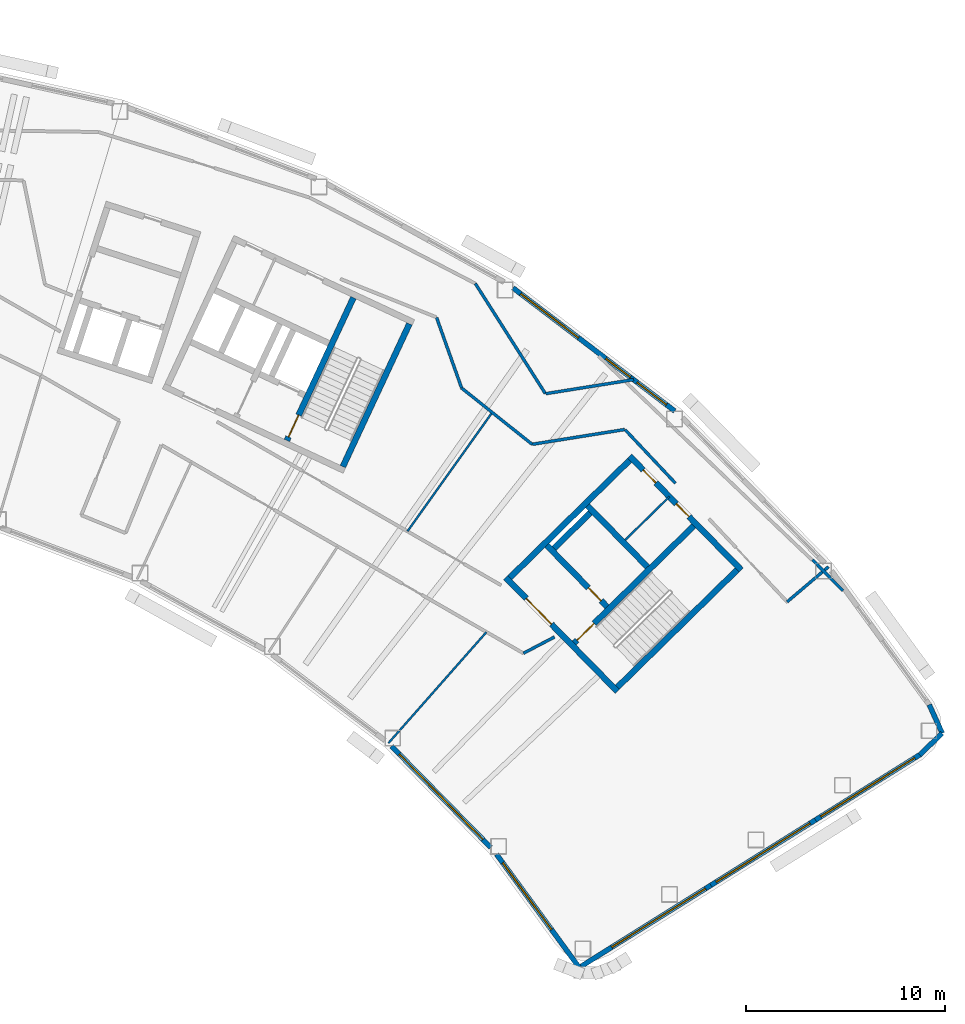
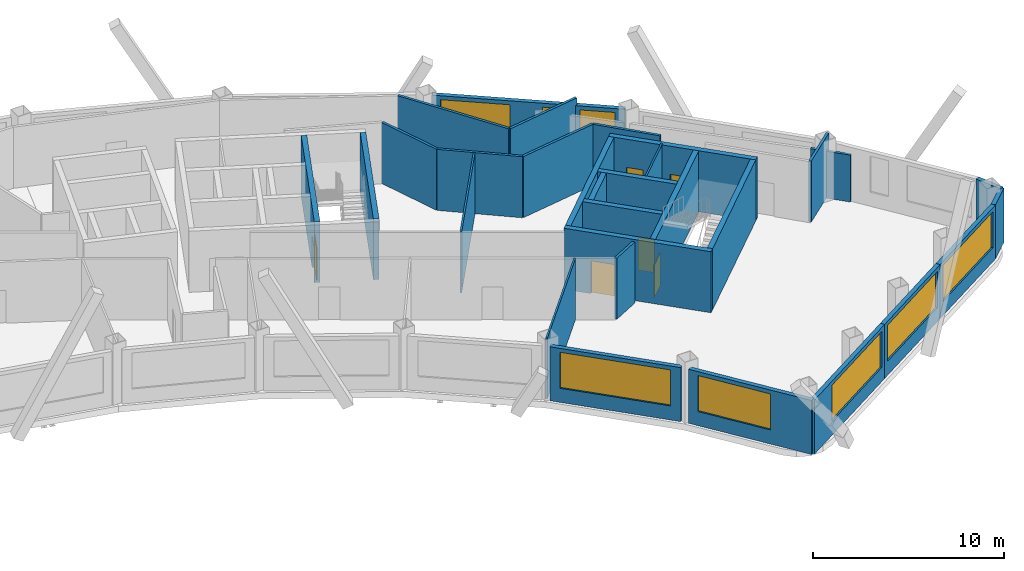
# One storey, part 9 of 13: 30 walls, 8 windows, 6 doors, 14 openings.
"""IFC4 building model written with IfcOpenShell, lengths in metres."""

import ifcopenshell
import ifcopenshell.guid

model = None  # the IFC model being written
_history = None  # IfcOwnerHistory: only IFC2X3 demands one
_inside = {}  # id of a spatial element -> (the spatial element, [elements in it])
_under = {}  # id of a project, library or spatial element -> (it, [spatial elements below it])
_declared = {}  # id of a project -> (the project, [libraries it declares])
_typed = {}  # id of a type object -> (the type object, [elements of that type])
_made_of = {}  # id of a material, layer set ... -> (it, [elements and type objects made of it])


def new_model(schema):
    """Start an empty IFC model of exactly this schema.

    Asked for "IFC4X3", IfcOpenShell would pick the latest addendum, in which some entities
    have other attributes; the version numbers below select the first issue.
    IFC2X3 requires an IfcOwnerHistory on every rooted entity: one is made here for all.
    """
    global model, _history
    if schema == "IFC4X3":
        model = ifcopenshell.file(schema_version=(4, 3, 0, 0))
    else:
        model = ifcopenshell.file(schema=schema)
    _inside.clear()
    _under.clear()
    _declared.clear()
    _typed.clear()
    _made_of.clear()
    _history = None
    if model.schema == "IFC2X3":
        org = make("IfcOrganization", Name="unknown")
        user = make(
            "IfcPersonAndOrganization",
            ThePerson=make("IfcPerson", FamilyName="unknown"),
            TheOrganization=org,
        )
        app = make(
            "IfcApplication",
            ApplicationDeveloper=org,
            Version="unknown",
            ApplicationFullName="unknown",
            ApplicationIdentifier="unknown",
        )
        _history = make(
            "IfcOwnerHistory",
            OwningUser=user,
            OwningApplication=app,
            ChangeAction="ADDED",
            CreationDate=0,
        )
    return model


def make(cls, **values):
    """One entity of the class cls with the attributes given. An attribute that is None is left unset."""
    return model.create_entity(
        cls, **{name: value for name, value in values.items() if value is not None}
    )


def rooted(cls, **values):
    """An entity with a GlobalId (a new one), such as an element, a storey or a relation."""
    return make(cls, GlobalId=ifcopenshell.guid.new(), OwnerHistory=_history, **values)


def si_unit(unit_type, name, prefix=None):
    """IfcSIUnit, for example si_unit("LENGTHUNIT", "METRE", prefix="MILLI")."""
    return make("IfcSIUnit", UnitType=unit_type, Prefix=prefix, Name=name)


def assignment(units):
    """IfcUnitAssignment: the units of a project."""
    return None if units is None else make("IfcUnitAssignment", Units=units)


def point(xyz):
    """IfcCartesianPoint."""
    return None if xyz is None else make("IfcCartesianPoint", Coordinates=xyz)


def direction(xyz):
    """IfcDirection."""
    return None if xyz is None else make("IfcDirection", DirectionRatios=xyz)


def frame(location, z_axis=None, x_axis=None):
    """IfcAxis2Placement3D, a coordinate frame: its origin and axes. An axis left out is left unset."""
    return make(
        "IfcAxis2Placement3D",
        Location=point(location),
        Axis=direction(z_axis),
        RefDirection=direction(x_axis),
    )


def frame_2d(location, x_axis=None):
    """IfcAxis2Placement2D, a coordinate frame in the plane: its origin and x axis."""
    return make(
        "IfcAxis2Placement2D", Location=point(location), RefDirection=direction(x_axis)
    )


def origin():
    """The frame at (0, 0, 0) with its axes left unset."""
    return frame((0.0, 0.0, 0.0))


def place(relative_to, where):
    """IfcLocalPlacement: puts the frame where relative to a parent placement (None: the world)."""
    return make(
        "IfcLocalPlacement", PlacementRelTo=relative_to, RelativePlacement=where
    )


def context(
    kind, dimensions, precision=None, world=None, true_north=None, identifier=None
):
    """IfcGeometricRepresentationContext, for example the 3D "Model" context."""
    return make(
        "IfcGeometricRepresentationContext",
        ContextIdentifier=identifier,
        ContextType=kind,
        CoordinateSpaceDimension=dimensions,
        Precision=precision,
        WorldCoordinateSystem=world,
        TrueNorth=true_north,
    )


def subcontext(parent, identifier, kind, view, scale=None):
    """IfcGeometricRepresentationSubContext, for example "Body" below "Model"."""
    return make(
        "IfcGeometricRepresentationSubContext",
        ContextIdentifier=identifier,
        ContextType=kind,
        ParentContext=parent,
        TargetScale=scale,
        TargetView=view,
    )


def project(units=None, contexts=None):
    """IfcProject with its units and contexts."""
    return rooted(
        "IfcProject",
        Name="project",
        RepresentationContexts=contexts,
        UnitsInContext=assignment(units),
    )


def spatial(cls, under=None, at=None, **own):
    """A site, building, storey or space (cls), placed at a placement, below another one or the project."""
    s = rooted(cls, ObjectPlacement=at, **own)
    if under is not None:
        _under.setdefault(under.id(), (under, []))[1].append(s)
    return s


def profile(cls, at=None, kind="AREA", **sizes):
    """A parametric profile (cls). Its sizes go by their IFC names, for example OverallWidth=200.0."""
    return make(cls, ProfileType=kind, Position=at, **sizes)


def rectangle(**sizes):
    """IfcRectangleProfileDef."""
    return profile("IfcRectangleProfileDef", **sizes)


def extrude(swept, where, along, depth):
    """IfcExtrudedAreaSolid: the profile swept, set in the frame where, extruded along a direction by depth."""
    return make(
        "IfcExtrudedAreaSolid",
        SweptArea=swept,
        Position=where,
        ExtrudedDirection=direction(along),
        Depth=depth,
    )


def shape(context_of_items, identifier, shape_type, items):
    """IfcShapeRepresentation: the items that make up one representation, for example the "Body"."""
    return make(
        "IfcShapeRepresentation",
        ContextOfItems=context_of_items,
        RepresentationIdentifier=identifier,
        RepresentationType=shape_type,
        Items=items,
    )


def material(Name=None, Category=None):
    """IfcMaterial."""
    return make("IfcMaterial", Name=Name, Category=Category)


def layer(
    of_material, thickness, ventilated=None, Name=None, Category=None, Priority=None
):
    """IfcMaterialLayer: one layer of a wall or slab, of a material (None: an air gap)."""
    return make(
        "IfcMaterialLayer",
        Material=of_material,
        LayerThickness=thickness,
        IsVentilated=ventilated,
        Name=Name,
        Category=Category,
        Priority=Priority,
    )


def layer_set(layers, Name=None):
    """IfcMaterialLayerSet."""
    return make("IfcMaterialLayerSet", MaterialLayers=layers, LayerSetName=Name)


def made_of(thing, what):
    """Note that an element or type object is made of a material, layer set ...; save() writes the relation."""
    if what is not None:
        _made_of.setdefault(what.id(), (what, []))[1].append(thing)
    return thing


def type_object(cls, material=None, **own):
    """A type object (cls), such as IfcWallType, which elements share."""
    return made_of(rooted(cls, **own), material)


def element(
    cls,
    number,
    at=None,
    inside=None,
    cuts=None,
    type_object=None,
    material=None,
    context=None,
    identifier="Body",
    shape_type=None,
    held_by="IfcProductDefinitionShape",
    body=None,
    shapes=None,
    **own,
):
    """One element of the class cls, such as IfcWall. Its Tag is "e" and its number.

    at: its placement. inside: the storey or other place that contains it. cuts: it is an
    opening in that element (IfcRelVoidsElement). A single representation is given by context,
    identifier, shape_type and body (its items); several are given by shapes. held_by: the class
    of the entity that holds the representations. save() writes the other relations.
    """
    e = rooted(cls, Tag="e%d" % number, ObjectPlacement=at, **own)
    if body is not None:
        shapes = [shape(context, identifier, shape_type, body)]
    if shapes is not None:
        e.Representation = make(held_by, Representations=shapes)
    if inside is not None:
        _inside.setdefault(inside.id(), (inside, []))[1].append(e)
    if cuts is not None:
        rooted(
            "IfcRelVoidsElement", RelatingBuildingElement=cuts, RelatedOpeningElement=e
        )
    if type_object is not None:
        _typed.setdefault(type_object.id(), (type_object, []))[1].append(e)
    return made_of(e, material)


def fill(opening, filler):
    """IfcRelFillsElement: the door or window that sits in an opening."""
    return rooted(
        "IfcRelFillsElement",
        RelatingOpeningElement=opening,
        RelatedBuildingElement=filler,
    )


def aggregate(whole, parts):
    """IfcRelAggregates: a whole, such as a stair, and the parts it consists of."""
    return rooted("IfcRelAggregates", RelatingObject=whole, RelatedObjects=parts)


def save(model, path):
    """Write the relations noted so far, then the file.

    IfcRelAggregates (storeys below a building ...), IfcRelContainedInSpatialStructure (elements
    in a storey), IfcRelDefinesByType, IfcRelAssociatesMaterial and IfcRelDeclares: one each for
    every whole, place, type object, material and project.
    """
    for whole, parts in _under.values():
        aggregate(whole, parts)
    for where, things in _inside.values():
        rooted(
            "IfcRelContainedInSpatialStructure",
            RelatedElements=things,
            RelatingStructure=where,
        )
    for kind, things in _typed.values():
        rooted("IfcRelDefinesByType", RelatedObjects=things, RelatingType=kind)
    for what, things in _made_of.values():
        rooted("IfcRelAssociatesMaterial", RelatedObjects=things, RelatingMaterial=what)
    for by, libraries in _declared.values():
        rooted("IfcRelDeclares", RelatingContext=by, RelatedDefinitions=libraries)
    model.write(path)


model = new_model("IFC4")

# Units and contexts
model_context = context("Model", 3, precision=1e-05, world=origin(), true_north=direction((0.0, 1.0)))
body_context = subcontext(model_context, "Body", "Model", "MODEL_VIEW")
ifc_project = project(units=[si_unit("LENGTHUNIT", "METRE"), si_unit("AREAUNIT", "SQUARE_METRE"), si_unit("VOLUMEUNIT", "CUBIC_METRE"), si_unit("PLANEANGLEUNIT", "RADIAN"), si_unit("MASSUNIT", "GRAM", prefix="KILO")], contexts=[model_context])

# Site, building, storey
site_placement = place(None, origin())
site = spatial("IfcSite", under=ifc_project, at=site_placement, CompositionType="ELEMENT")
building_placement = place(site_placement, origin())
building = spatial("IfcBuilding", under=site, at=building_placement, Name="Tuul Gate Civic Tower", CompositionType="ELEMENT")
storey_placement = place(building_placement, frame((0.0, 0.0, 319.699951171875)))
storey = spatial("IfcBuildingStorey", under=building, at=storey_placement, Name="Level 72", CompositionType="ELEMENT", Elevation=319.699951171875)

# Wall, opening, door
ifc_material_1 = material(Name="Concrete C50/60", Category="concrete")
ifc_layer_1 = layer(ifc_material_1, 0.300048828125)
ifc_layer_set_1 = layer_set([ifc_layer_1], Name="Concrete C50/60")
wall_type_1 = type_object("IfcWallType", Name="Core wall C50/60", PredefinedType="SHEAR", material=ifc_layer_set_1)
wall_1_placement = place(storey_placement, frame((48.22509765625, -18.327880859375, 0.0), z_axis=(0.0, 0.0, 1.0), x_axis=(-0.700021979774, 0.714121297703, 0.0)))
wall_1 = element("IfcWall", 1, at=wall_1_placement, inside=storey, type_object=wall_type_1, Name="Core wall", PredefinedType="SHEAR", context=body_context, shape_type="SweptSolid", body=[
    extrude(rectangle(XDim=8.0, YDim=0.300048828125, at=frame_2d((4.0, 0.0))), origin(), (0.0, 0.0, 1.0), 3.900146484375),
])
opening_1_placement = place(wall_1_placement, frame((4.72509765625, 0.0, 0.0)))
opening_1 = element("IfcOpeningElement", 2, at=opening_1_placement, cuts=wall_1, Name="Opening LB-E1-LOBBY-1", PredefinedType="OPENING", context=body_context, shape_type="SweptSolid", body=[
    extrude(rectangle(XDim=1.800048828125, YDim=2.10009765625, at=frame_2d((0.89990234375, 1.050048828125))), frame((0.0, 0.16015625, 0.0), z_axis=(0.0, -1.0, 0.0), x_axis=(1.0, 0.0, 0.0)), (0.0, 0.0, 1.0), 0.320068359375),
])
ifc_material_2 = material(Name="Steel", Category="steel")
door_type_1 = type_object("IfcDoorType", Name="Lobby door", OperationType="DOUBLE_DOOR_SINGLE_SWING", PredefinedType="DOOR", material=ifc_material_2)
door_1_placement = place(opening_1_placement, frame((1.800048828125, 0.0, 0.0), z_axis=(0.0, 0.0, 1.0), x_axis=(-1.0, 0.0, 0.0)))
door_1 = element("IfcDoor", 3, at=door_1_placement, inside=storey, type_object=door_type_1, Name="Lobby door E1-LOBBY", OperationType="DOUBLE_DOOR_SINGLE_SWING", OverallHeight=2.10009765625, OverallWidth=1.800048828125, PredefinedType="DOOR", context=body_context, shape_type="SweptSolid", body=[
    extrude(rectangle(XDim=1.800048828125, YDim=2.10009765625, at=frame_2d((0.900146484375, 1.050048828125))), frame((0.0, 0.02490234375, 0.0), z_axis=(0.0, -1.0, 0.0), x_axis=(1.0, 0.0, 0.0)), (0.0, 0.0, 1.0), 0.050048828125),
])
fill(opening_1, door_1)

wall_2_placement = place(storey_placement, frame((47.701904296875, -14.079833984375, 0.0), z_axis=(0.0, 0.0, 1.0), x_axis=(-0.700002721075, 0.714140175657, 0.0)))
wall_2 = element("IfcWall", 4, at=wall_2_placement, inside=storey, type_object=wall_type_1, Name="Core wall", PredefinedType="SHEAR", context=body_context, shape_type="SweptSolid", body=[
    extrude(rectangle(XDim=4.300048828125, YDim=0.300048828125, at=frame_2d((2.14990234375, 0.0))), origin(), (0.0, 0.0, 1.0), 3.900146484375),
])
opening_2_placement = place(wall_2_placement, frame((0.425048828125, 0.0, 0.0)))
opening_2 = element("IfcOpeningElement", 5, at=opening_2_placement, cuts=wall_2, Name="Opening FB-E1A1", PredefinedType="OPENING", context=body_context, shape_type="SweptSolid", body=[
    extrude(rectangle(XDim=0.89990234375, YDim=2.10009765625, at=frame_2d((0.449951171875, 1.050048828125))), frame((0.0, 0.16015625, 0.0), z_axis=(0.0, -1.0, 0.0), x_axis=(1.0, 0.0, 0.0)), (0.0, 0.0, 1.0), 0.320068359375),
])
ifc_material_3 = material(Name="Steel", Category="steel")
door_type_2 = type_object("IfcDoorType", Name="Store door", OperationType="NOTDEFINED", PredefinedType="DOOR", material=ifc_material_3)
door_2_placement = place(opening_2_placement, frame((0.89990234375, 0.0, 0.0), z_axis=(0.0, 0.0, 1.0), x_axis=(-1.0, 0.0, 0.0)))
door_2 = element("IfcDoor", 6, at=door_2_placement, inside=storey, type_object=door_type_2, Name="Store door E1A1", OperationType="SINGLE_SWING_RIGHT", OverallHeight=2.10009765625, OverallWidth=0.89990234375, PredefinedType="DOOR", context=body_context, shape_type="SweptSolid", body=[
    extrude(rectangle(XDim=0.89990234375, YDim=2.10009765625, at=frame_2d((0.449951171875, 1.050048828125))), frame((0.0, 0.02490234375, 0.0), z_axis=(0.0, -1.0, 0.0), x_axis=(1.0, 0.0, 0.0)), (0.0, 0.0, 1.0), 0.050048828125),
])
fill(opening_2, door_2)

# Wall
wall_3_placement = place(storey_placement, frame((49.737060546875, -12.0849609375, 0.0), z_axis=(0.0, 0.0, 1.0), x_axis=(-0.700002721075, 0.714140175657, 0.0)))
element("IfcWall", 7, at=wall_3_placement, inside=storey, type_object=wall_type_1, Name="Core wall", PredefinedType="SHEAR", context=body_context, shape_type="SweptSolid", body=[
    extrude(rectangle(XDim=4.300048828125, YDim=0.300048828125, at=frame_2d((2.14990234375, 0.0))), origin(), (0.0, 0.0, 1.0), 3.900146484375),
])

# Wall, openings, doors
wall_4_placement = place(storey_placement, frame((54.43798828125, -12.23779296875, 0.0), z_axis=(0.0, 0.0, 1.0), x_axis=(-0.700021979774, 0.714121297703, 0.0)))
wall_4 = element("IfcWall", 8, at=wall_4_placement, inside=storey, type_object=wall_type_1, Name="Core wall", PredefinedType="SHEAR", context=body_context, shape_type="SweptSolid", body=[
    extrude(rectangle(XDim=8.0, YDim=0.300048828125, at=frame_2d((4.0, 0.0))), origin(), (0.0, 0.0, 1.0), 3.900146484375),
])
opening_3_placement = place(wall_4_placement, frame((3.75, 0.0, 0.0)))
opening_3 = element("IfcOpeningElement", 9, at=opening_3_placement, cuts=wall_4, Name="Opening AA-D30", PredefinedType="OPENING", context=body_context, shape_type="SweptSolid", body=[
    extrude(rectangle(XDim=0.89990234375, YDim=2.10009765625, at=frame_2d((0.449951171875, 1.050048828125))), frame((0.0, 0.16015625, 0.0), z_axis=(0.0, -1.0, 0.0), x_axis=(1.0, 0.0, 0.0)), (0.0, 0.0, 1.0), 0.320068359375),
])
opening_4_placement = place(wall_4_placement, frame((6.125, 0.0, 0.0)))
opening_4 = element("IfcOpeningElement", 10, at=opening_4_placement, cuts=wall_4, Name="Opening AA-D31", PredefinedType="OPENING", context=body_context, shape_type="SweptSolid", body=[
    extrude(rectangle(XDim=0.89990234375, YDim=2.10009765625, at=frame_2d((0.449951171875, 1.050048828125))), frame((0.0, 0.16015625, 0.0), z_axis=(0.0, -1.0, 0.0), x_axis=(1.0, 0.0, 0.0)), (0.0, 0.0, 1.0), 0.320068359375),
])
ifc_material_4 = material(Name="Timber door leaf", Category="wood")
door_type_3 = type_object("IfcDoorType", Name="Door D09", OperationType="NOTDEFINED", PredefinedType="DOOR", material=ifc_material_4)
door_3_placement = place(opening_3_placement, origin())
door_3 = element("IfcDoor", 11, at=door_3_placement, inside=storey, type_object=door_type_3, Name="Door AA-D30", OperationType="SINGLE_SWING_LEFT", OverallHeight=2.10009765625, OverallWidth=0.89990234375, PredefinedType="DOOR", context=body_context, shape_type="SweptSolid", body=[
    extrude(rectangle(XDim=0.89990234375, YDim=2.10009765625, at=frame_2d((0.449951171875, 1.050048828125))), frame((0.0, 0.02490234375, 0.0), z_axis=(0.0, -1.0, 0.0), x_axis=(1.0, 0.0, 0.0)), (0.0, 0.0, 1.0), 0.050048828125),
])
fill(opening_3, door_3)
door_4_placement = place(opening_4_placement, origin())
door_4 = element("IfcDoor", 12, at=door_4_placement, inside=storey, type_object=door_type_3, Name="Door AA-D31", OperationType="SINGLE_SWING_LEFT", OverallHeight=2.10009765625, OverallWidth=0.89990234375, PredefinedType="DOOR", context=body_context, shape_type="SweptSolid", body=[
    extrude(rectangle(XDim=0.89990234375, YDim=2.10009765625, at=frame_2d((0.449951171875, 1.050048828125))), frame((0.0, 0.02490234375, 0.0), z_axis=(0.0, -1.0, 0.0), x_axis=(1.0, 0.0, 0.0)), (0.0, 0.0, 1.0), 0.050048828125),
])
fill(opening_4, door_4)

# Wall
wall_5_placement = place(storey_placement, frame((48.227294921875, -18.115966796875, 0.0), z_axis=(0.0, 0.0, 1.0), x_axis=(0.714105315431, 0.700038283577, 0.0)))
element("IfcWall", 13, at=wall_5_placement, inside=storey, type_object=wall_type_1, Name="Core wall", PredefinedType="SHEAR", context=body_context, shape_type="SweptSolid", body=[
    extrude(rectangle(XDim=8.400146484375, YDim=0.300048828125, at=frame_2d((4.2001953125, 0.0))), origin(), (0.0, 0.0, 1.0), 3.900146484375),
])

# Wall, opening, door
wall_6_placement = place(storey_placement, frame((46.05712890625, -15.902099609375, 0.0), z_axis=(0.0, 0.0, 1.0), x_axis=(0.714134086973, 0.700008932674, 0.0)))
wall_6 = element("IfcWall", 14, at=wall_6_placement, inside=storey, type_object=wall_type_1, Name="Core wall", PredefinedType="SHEAR", context=body_context, shape_type="SweptSolid", body=[
    extrude(rectangle(XDim=8.400146484375, YDim=0.300048828125, at=frame_2d((4.2001953125, 0.0))), origin(), (0.0, 0.0, 1.0), 3.900146484375),
])
opening_5_placement = place(wall_6_placement, frame((0.199951171875, 0.0, 0.0)))
opening_5 = element("IfcOpeningElement", 15, at=opening_5_placement, cuts=wall_6, Name="Opening SD-ST-3", PredefinedType="OPENING", context=body_context, shape_type="SweptSolid", body=[
    extrude(rectangle(XDim=1.199951171875, YDim=2.10009765625, at=frame_2d((0.60009765625, 1.050048828125))), frame((0.0, 0.16015625, 0.0), z_axis=(0.0, -1.0, 0.0), x_axis=(1.0, 0.0, 0.0)), (0.0, 0.0, 1.0), 0.320068359375),
])
ifc_material_5 = material(Name="Steel", Category="steel")
door_type_4 = type_object("IfcDoorType", Name="Stair door", OperationType="NOTDEFINED", PredefinedType="DOOR", material=ifc_material_5)
door_5_placement = place(opening_5_placement, origin())
door_5 = element("IfcDoor", 16, at=door_5_placement, inside=storey, type_object=door_type_4, Name="Stair door ST-3", OperationType="SINGLE_SWING_LEFT", OverallHeight=2.10009765625, OverallWidth=1.199951171875, PredefinedType="DOOR", context=body_context, shape_type="SweptSolid", body=[
    extrude(rectangle(XDim=1.199951171875, YDim=2.10009765625, at=frame_2d((0.60009765625, 1.050048828125))), frame((0.0, 0.02490234375, 0.0), z_axis=(0.0, -1.0, 0.0), x_axis=(1.0, 0.0, 0.0)), (0.0, 0.0, 1.0), 0.050048828125),
])
fill(opening_5, door_5)

# Walls
wall_7_placement = place(storey_placement, frame((45.0439453125, -11.154052734375, 0.0), z_axis=(0.0, 0.0, 1.0), x_axis=(0.714108498262, 0.700035036773, 0.0)))
element("IfcWall", 17, at=wall_7_placement, inside=storey, type_object=wall_type_1, Name="Core wall", PredefinedType="SHEAR", context=body_context, shape_type="SweptSolid", body=[
    extrude(rectangle(XDim=2.550048828125, YDim=0.300048828125, at=frame_2d((1.27490234375, 0.0))), origin(), (0.0, 0.0, 1.0), 3.900146484375),
])
wall_8_placement = place(storey_placement, frame((42.837158203125, -12.616943359375, 0.0), z_axis=(0.0, 0.0, 1.0), x_axis=(0.714119844755, 0.700023461983, 0.0)))
element("IfcWall", 18, at=wall_8_placement, inside=storey, type_object=wall_type_1, Name="Core wall", PredefinedType="SHEAR", context=body_context, shape_type="SweptSolid", body=[
    extrude(rectangle(XDim=8.39990234375, YDim=0.300048828125, at=frame_2d((4.199951171875, 0.0))), origin(), (0.0, 0.0, 1.0), 3.900146484375),
])
wall_9_placement = place(storey_placement, frame((34.455810546875, -7.05078125, 0.0), z_axis=(0.0, 0.0, 1.0), x_axis=(0.422570768258, 0.906329932096, 0.0)))
element("IfcWall", 19, at=wall_9_placement, inside=storey, type_object=wall_type_1, Name="Core wall", PredefinedType="SHEAR", context=body_context, shape_type="SweptSolid", body=[
    extrude(rectangle(XDim=7.900146484375, YDim=0.300048828125, at=frame_2d((3.9501953125, 0.0))), origin(), (0.0, 0.0, 1.0), 3.900146484375),
])

# Wall, opening, door
wall_10_placement = place(storey_placement, frame((31.646240234375, -5.740478515625, 0.0), z_axis=(0.0, 0.0, 1.0), x_axis=(0.422582604137, 0.906324413596, 0.0)))
wall_10 = element("IfcWall", 20, at=wall_10_placement, inside=storey, type_object=wall_type_1, Name="Core wall", PredefinedType="SHEAR", context=body_context, shape_type="SweptSolid", body=[
    extrude(rectangle(XDim=7.89990234375, YDim=0.300048828125, at=frame_2d((3.949951171875, 0.0))), origin(), (0.0, 0.0, 1.0), 3.900146484375),
])
opening_6_placement = place(wall_10_placement, frame((0.199951171875, 0.0, 0.0)))
opening_6 = element("IfcOpeningElement", 21, at=opening_6_placement, cuts=wall_10, Name="Opening SD-ST-4", PredefinedType="OPENING", context=body_context, shape_type="SweptSolid", body=[
    extrude(rectangle(XDim=1.199951171875, YDim=2.10009765625, at=frame_2d((0.60009765625, 1.050048828125))), frame((0.0, 0.16015625, 0.0), z_axis=(0.0, -1.0, 0.0), x_axis=(1.0, 0.0, 0.0)), (0.0, 0.0, 1.0), 0.320068359375),
])
door_6_placement = place(opening_6_placement, origin())
door_6 = element("IfcDoor", 22, at=door_6_placement, inside=storey, type_object=door_type_4, Name="Stair door ST-4", OperationType="SINGLE_SWING_LEFT", OverallHeight=2.10009765625, OverallWidth=1.199951171875, PredefinedType="DOOR", context=body_context, shape_type="SweptSolid", body=[
    extrude(rectangle(XDim=1.199951171875, YDim=2.10009765625, at=frame_2d((0.60009765625, 1.050048828125))), frame((0.0, 0.02490234375, 0.0), z_axis=(0.0, -1.0, 0.0), x_axis=(1.0, 0.0, 0.0)), (0.0, 0.0, 1.0), 0.050048828125),
])
fill(opening_6, door_6)

# Walls
ifc_material_6 = material(Name="Gypsum board partition")
ifc_layer_2 = layer(ifc_material_6, 0.14990234375)
ifc_layer_set_2 = layer_set([ifc_layer_2], Name="Gypsum board partition")
wall_type_2 = type_object("IfcWallType", Name="Corridor wall P150", PredefinedType="PARTITIONING", material=ifc_layer_set_2)
wall_11_placement = place(storey_placement, frame((56.740966796875, -13.83349609375, 0.0), z_axis=(0.0, 0.0, 1.0), x_axis=(0.762773319924, 0.64666595891, 0.0)))
element("IfcWall", 23, at=wall_11_placement, inside=storey, type_object=wall_type_2, Name="p007", PredefinedType="PARTITIONING", context=body_context, shape_type="SweptSolid", body=[
    extrude(rectangle(XDim=2.720947265625, YDim=0.14990234375, at=frame_2d((1.3603515625, 0.0))), origin(), (0.0, 0.0, 1.0), 3.900146484375),
])
wall_12_placement = place(storey_placement, frame((44.63037109375, -3.39404296875, 0.0), z_axis=(0.0, 0.0, 1.0), x_axis=(0.987453930553, 0.157907362192, 0.0)))
element("IfcWall", 24, at=wall_12_placement, inside=storey, type_object=wall_type_2, Name="p010", PredefinedType="PARTITIONING", context=body_context, shape_type="SweptSolid", body=[
    extrude(rectangle(XDim=4.466796875, YDim=0.14990234375, at=frame_2d((2.2333984375, 0.0))), origin(), (0.0, 0.0, 1.0), 3.900146484375),
])
wall_13_placement = place(storey_placement, frame((41.098388671875, 2.130859375, 0.0), z_axis=(0.0, 0.0, 1.0), x_axis=(0.537015617455, -0.84357230076, 0.0)))
element("IfcWall", 25, at=wall_13_placement, inside=storey, type_object=wall_type_2, Name="p011", PredefinedType="PARTITIONING", context=body_context, shape_type="SweptSolid", body=[
    extrude(rectangle(XDim=6.538330078125, YDim=0.14990234375, at=frame_2d((3.26904296875, 0.0))), origin(), (0.0, 0.0, 1.0), 3.900146484375),
])
wall_14_placement = place(storey_placement, frame((43.51123046875, -16.415283203125, 0.0), z_axis=(0.0, 0.0, 1.0), x_axis=(0.885516348917, 0.464608217535, 0.0)))
element("IfcWall", 26, at=wall_14_placement, inside=storey, type_object=wall_type_2, Name="p060", PredefinedType="PARTITIONING", context=body_context, shape_type="SweptSolid", body=[
    extrude(rectangle(XDim=1.759765625, YDim=0.14990234375, at=frame_2d((0.8798828125, 0.0))), origin(), (0.0, 0.0, 1.0), 3.900146484375),
])
wall_15_placement = place(storey_placement, frame((48.60791015625, -5.19775390625, 0.0), z_axis=(0.0, 0.0, 1.0), x_axis=(0.685442892351, -0.728126391037, 0.0)))
element("IfcWall", 27, at=wall_15_placement, inside=storey, type_object=wall_type_2, Name="p061", PredefinedType="PARTITIONING", context=body_context, shape_type="SweptSolid", body=[
    extrude(rectangle(XDim=3.70068359375, YDim=0.14990234375, at=frame_2d((1.850341796875, 0.0))), origin(), (0.0, 0.0, 1.0), 3.900146484375),
])
wall_16_placement = place(storey_placement, frame((40.414794921875, -3.113037109375, 0.0), z_axis=(0.0, 0.0, 1.0), x_axis=(0.781558446136, -0.623832024886, 0.0)))
element("IfcWall", 28, at=wall_16_placement, inside=storey, type_object=wall_type_2, Name="p099", PredefinedType="PARTITIONING", context=body_context, shape_type="SweptSolid", body=[
    extrude(rectangle(XDim=4.521240234375, YDim=0.14990234375, at=frame_2d((2.2607421875, 0.0))), origin(), (0.0, 0.0, 1.0), 3.900146484375),
])
wall_17_placement = place(storey_placement, frame((43.948486328125, -5.93359375, 0.0), z_axis=(0.0, 0.0, 1.0), x_axis=(0.987451003426, 0.157925665531, 0.0)))
element("IfcWall", 29, at=wall_17_placement, inside=storey, type_object=wall_type_2, Name="p100", PredefinedType="PARTITIONING", context=body_context, shape_type="SweptSolid", body=[
    extrude(rectangle(XDim=4.69970703125, YDim=0.14990234375, at=frame_2d((2.349853515625, 0.0))), origin(), (0.0, 0.0, 1.0), 3.900146484375),
])
wall_18_placement = place(storey_placement, frame((39.156494140625, 0.427490234375, 0.0), z_axis=(0.0, 0.0, 1.0), x_axis=(0.334730121069, -0.942314037914, 0.0)))
element("IfcWall", 30, at=wall_18_placement, inside=storey, type_object=wall_type_2, Name="p102", PredefinedType="PARTITIONING", context=body_context, shape_type="SweptSolid", body=[
    extrude(rectangle(XDim=3.75634765625, YDim=0.14990234375, at=frame_2d((1.878173828125, 0.0))), origin(), (0.0, 0.0, 1.0), 3.900146484375),
])
ifc_material_7 = material(Name="Gypsum board partition")
ifc_layer_3 = layer(ifc_material_7, 0.14990234375)
ifc_layer_set_3 = layer_set([ifc_layer_3], Name="Gypsum board partition")
wall_type_3 = type_object("IfcWallType", Name="Corridor wall P150 3000 HIGH", PredefinedType="PARTITIONING", material=ifc_layer_set_3)
wall_19_placement = place(storey_placement, frame((58.01318359375, -11.725830078125, 0.0), z_axis=(0.0, 0.0, 1.0), x_axis=(0.700000714214, -0.714142142784, 0.0)))
element("IfcWall", 31, at=wall_19_placement, inside=storey, type_object=wall_type_3, Name="p006", PredefinedType="PARTITIONING", context=body_context, shape_type="SweptSolid", body=[
    extrude(rectangle(XDim=2.17529296875, YDim=0.14990234375, at=frame_2d((1.087646484375, 0.0))), origin(), (0.0, 0.0, 1.0), 3.0),
])
ifc_material_8 = material(Name="Precast concrete C40/50", Category="concrete")
ifc_layer_4 = layer(ifc_material_8, 0.25)
ifc_layer_set_4 = layer_set([ifc_layer_4], Name="Precast concrete C40/50")
wall_type_4 = type_object("IfcWallType", Name="External wall", PredefinedType="STANDARD", material=ifc_layer_set_4)
wall_20_placement = place(storey_placement, frame((63.382568359375, -21.513671875, 0.0), z_axis=(0.0, 0.0, 1.0), x_axis=(0.722162740816, 0.691723193031, 0.0)))
element("IfcWall", 32, at=wall_20_placement, inside=storey, type_object=wall_type_4, Name="External wall", PredefinedType="STANDARD", context=body_context, shape_type="SweptSolid", body=[
    extrude(rectangle(XDim=1.572021484375, YDim=0.25, at=frame_2d((0.7861328125, 0.0))), origin(), (0.0, 0.0, 1.0), 3.449951171875),
])
wall_21_placement = place(storey_placement, frame((64.517822265625, -20.42626953125, 0.0), z_axis=(0.0, 0.0, 1.0), x_axis=(-0.413463423134, 0.910520728886, 0.0)))
element("IfcWall", 33, at=wall_21_placement, inside=storey, type_object=wall_type_4, Name="External wall", PredefinedType="STANDARD", context=body_context, shape_type="SweptSolid", body=[
    extrude(rectangle(XDim=1.5712890625, YDim=0.25, at=frame_2d((0.78564453125, 0.0))), origin(), (0.0, 0.0, 1.0), 3.449951171875),
])

# Wall, openings, windows
wall_22_placement = place(storey_placement, frame((51.100341796875, -4.262939453125, 0.0), z_axis=(0.0, 0.0, 1.0), x_axis=(-0.795619798905, 0.605796282252, 0.0)))
wall_22 = element("IfcWall", 34, at=wall_22_placement, inside=storey, type_object=wall_type_4, Name="External wall", PredefinedType="STANDARD", context=body_context, shape_type="SweptSolid", body=[
    extrude(rectangle(XDim=10.18896484375, YDim=0.25, at=frame_2d((5.094482421875, 0.0))), origin(), (0.0, 0.0, 1.0), 3.449951171875),
])
opening_7_placement = place(wall_22_placement, frame((6.057861328125, 0.0, 0.89990234375)))
opening_7 = element("IfcOpeningElement", 35, at=opening_7_placement, cuts=wall_22, Name="Opening W76", PredefinedType="OPENING", context=body_context, shape_type="SweptSolid", body=[
    extrude(rectangle(XDim=3.64990234375, YDim=2.300048828125, at=frame_2d((1.824951171875, 1.14990234375))), frame((0.0, 0.135009765625, 0.0), z_axis=(0.0, -1.0, 0.0), x_axis=(1.0, 0.0, 0.0)), (0.0, 0.0, 1.0), 0.27001953125),
])
opening_8_placement = place(wall_22_placement, frame((0.51806640625, 0.0, 0.89990234375)))
opening_8 = element("IfcOpeningElement", 36, at=opening_8_placement, cuts=wall_22, Name="Opening W77", PredefinedType="OPENING", context=body_context, shape_type="SweptSolid", body=[
    extrude(rectangle(XDim=1.85009765625, YDim=2.300048828125, at=frame_2d((0.925048828125, 1.14990234375))), frame((0.0, 0.135009765625, 0.0), z_axis=(0.0, -1.0, 0.0), x_axis=(1.0, 0.0, 0.0)), (0.0, 0.0, 1.0), 0.27001953125),
])
opening_9_placement = place(wall_22_placement, frame((2.79296875, 0.0, 0.89990234375)))
opening_9 = element("IfcOpeningElement", 37, at=opening_9_placement, cuts=wall_22, Name="Opening W60", PredefinedType="OPENING", context=body_context, shape_type="SweptSolid", body=[
    extrude(rectangle(XDim=1.550048828125, YDim=2.300048828125, at=frame_2d((0.77490234375, 1.14990234375))), frame((0.0, 0.135009765625, 0.0), z_axis=(0.0, -1.0, 0.0), x_axis=(1.0, 0.0, 0.0)), (0.0, 0.0, 1.0), 0.27001953125),
])
ifc_material_9 = material(Name="Glass", Category="glass")
window_type_1 = type_object("IfcWindowType", Name="Window 1550 x 2300", PartitioningType="SINGLE_PANEL", PredefinedType="WINDOW", material=ifc_material_9)
window_1_placement = place(opening_9_placement, origin())
window_1 = element("IfcWindow", 38, at=window_1_placement, inside=storey, type_object=window_type_1, Name="Window", OverallHeight=2.300048828125, OverallWidth=1.550048828125, PartitioningType="SINGLE_PANEL", PredefinedType="WINDOW", context=body_context, shape_type="SweptSolid", body=[
    extrude(rectangle(XDim=1.550048828125, YDim=2.300048828125, at=frame_2d((0.77490234375, 1.14990234375))), frame((0.0, 0.030029296875, 0.0), z_axis=(0.0, -1.0, 0.0), x_axis=(1.0, 0.0, 0.0)), (0.0, 0.0, 1.0), 0.06005859375),
])
fill(opening_9, window_1)
ifc_material_10 = material(Name="Glass", Category="glass")
window_type_2 = type_object("IfcWindowType", Name="Window 1850 x 2300", PartitioningType="SINGLE_PANEL", PredefinedType="WINDOW", material=ifc_material_10)
window_2_placement = place(opening_8_placement, origin())
window_2 = element("IfcWindow", 39, at=window_2_placement, inside=storey, type_object=window_type_2, Name="Window", OverallHeight=2.300048828125, OverallWidth=1.85009765625, PartitioningType="SINGLE_PANEL", PredefinedType="WINDOW", context=body_context, shape_type="SweptSolid", body=[
    extrude(rectangle(XDim=1.85009765625, YDim=2.300048828125, at=frame_2d((0.925048828125, 1.14990234375))), frame((0.0, 0.030029296875, 0.0), z_axis=(0.0, -1.0, 0.0), x_axis=(1.0, 0.0, 0.0)), (0.0, 0.0, 1.0), 0.06005859375),
])
fill(opening_8, window_2)
ifc_material_11 = material(Name="Glass", Category="glass")
window_type_3 = type_object("IfcWindowType", Name="Window 3650 x 2300", PartitioningType="SINGLE_PANEL", PredefinedType="WINDOW", material=ifc_material_11)
window_3_placement = place(opening_7_placement, origin())
window_3 = element("IfcWindow", 40, at=window_3_placement, inside=storey, type_object=window_type_3, Name="Window", OverallHeight=2.300048828125, OverallWidth=3.64990234375, PartitioningType="SINGLE_PANEL", PredefinedType="WINDOW", context=body_context, shape_type="SweptSolid", body=[
    extrude(rectangle(XDim=3.64990234375, YDim=2.300048828125, at=frame_2d((1.824951171875, 1.14990234375))), frame((0.0, 0.030029296875, 0.0), z_axis=(0.0, -1.0, 0.0), x_axis=(1.0, 0.0, 0.0)), (0.0, 0.0, 1.0), 0.06005859375),
])
fill(opening_7, window_3)

# Wall, opening, window
wall_23_placement = place(storey_placement, frame((36.894775390625, -21.074951171875, 0.0), z_axis=(0.0, 0.0, 1.0), x_axis=(0.700102647984, -0.714042213238, 0.0)))
wall_23 = element("IfcWall", 41, at=wall_23_placement, inside=storey, type_object=wall_type_4, Name="External wall", PredefinedType="STANDARD", context=body_context, shape_type="SweptSolid", body=[
    extrude(rectangle(XDim=7.11083984375, YDim=0.25, at=frame_2d((3.555419921875, 0.0))), origin(), (0.0, 0.0, 1.0), 3.449951171875),
])
opening_10_placement = place(wall_23_placement, frame((0.55517578125, 0.0, 0.89990234375)))
opening_10 = element("IfcOpeningElement", 42, at=opening_10_placement, cuts=wall_23, Name="Opening W26", PredefinedType="OPENING", context=body_context, shape_type="SweptSolid", body=[
    extrude(rectangle(XDim=6.0, YDim=2.300048828125, at=frame_2d((3.0, 1.14990234375))), frame((0.0, 0.135009765625, 0.0), z_axis=(0.0, -1.0, 0.0), x_axis=(1.0, 0.0, 0.0)), (0.0, 0.0, 1.0), 0.27001953125),
])
ifc_material_12 = material(Name="Glass", Category="glass")
window_type_4 = type_object("IfcWindowType", Name="Window W26 6000 x 2300", PartitioningType="SINGLE_PANEL", PredefinedType="WINDOW", material=ifc_material_12)
window_4_placement = place(opening_10_placement, origin())
window_4 = element("IfcWindow", 43, at=window_4_placement, inside=storey, type_object=window_type_4, Name="Window", OverallHeight=2.300048828125, OverallWidth=6.0, PartitioningType="SINGLE_PANEL", PredefinedType="WINDOW", context=body_context, shape_type="SweptSolid", body=[
    extrude(rectangle(XDim=6.0, YDim=2.300048828125, at=frame_2d((3.0, 1.14990234375))), frame((0.0, 0.030029296875, 0.0), z_axis=(0.0, -1.0, 0.0), x_axis=(1.0, 0.0, 0.0)), (0.0, 0.0, 1.0), 0.06005859375),
])
fill(opening_10, window_4)

wall_24_placement = place(storey_placement, frame((42.163330078125, -26.4970703125, 0.0), z_axis=(0.0, 0.0, 1.0), x_axis=(0.589749390831, -0.8075863149, 0.0)))
wall_24 = element("IfcWall", 44, at=wall_24_placement, inside=storey, type_object=wall_type_4, Name="External wall", PredefinedType="STANDARD", context=body_context, shape_type="SweptSolid", body=[
    extrude(rectangle(XDim=7.033935546875, YDim=0.25, at=frame_2d((3.51708984375, 0.0))), origin(), (0.0, 0.0, 1.0), 3.449951171875),
])
opening_11_placement = place(wall_24_placement, frame((0.5263671875, 0.0, 0.89990234375)))
opening_11 = element("IfcOpeningElement", 45, at=opening_11_placement, cuts=wall_24, Name="Opening W25", PredefinedType="OPENING", context=body_context, shape_type="SweptSolid", body=[
    extrude(rectangle(XDim=4.14990234375, YDim=2.300048828125, at=frame_2d((2.074951171875, 1.14990234375))), frame((0.0, 0.135009765625, 0.0), z_axis=(0.0, -1.0, 0.0), x_axis=(1.0, 0.0, 0.0)), (0.0, 0.0, 1.0), 0.27001953125),
])
ifc_material_13 = material(Name="Glass", Category="glass")
window_type_5 = type_object("IfcWindowType", Name="Window W25 4150 x 2300", PartitioningType="SINGLE_PANEL", PredefinedType="WINDOW", material=ifc_material_13)
window_5_placement = place(opening_11_placement, origin())
window_5 = element("IfcWindow", 46, at=window_5_placement, inside=storey, type_object=window_type_5, Name="Window", OverallHeight=2.300048828125, OverallWidth=4.14990234375, PartitioningType="SINGLE_PANEL", PredefinedType="WINDOW", context=body_context, shape_type="SweptSolid", body=[
    extrude(rectangle(XDim=4.14990234375, YDim=2.300048828125, at=frame_2d((2.074951171875, 1.14990234375))), frame((0.0, 0.030029296875, 0.0), z_axis=(0.0, -1.0, 0.0), x_axis=(1.0, 0.0, 0.0)), (0.0, 0.0, 1.0), 0.06005859375),
])
fill(opening_11, window_5)

wall_25_placement = place(storey_placement, frame((46.3115234375, -32.177490234375, 0.0), z_axis=(0.0, 0.0, 1.0), x_axis=(0.848061701049, 0.529897491233, 0.0)))
wall_25 = element("IfcWall", 47, at=wall_25_placement, inside=storey, type_object=wall_type_4, Name="External wall", PredefinedType="STANDARD", context=body_context, shape_type="SweptSolid", body=[
    extrude(rectangle(XDim=7.787841796875, YDim=0.25, at=frame_2d((3.89404296875, 0.0))), origin(), (0.0, 0.0, 1.0), 3.449951171875),
])
opening_12_placement = place(wall_25_placement, frame((1.92138671875, 0.0, 0.89990234375)))
opening_12 = element("IfcOpeningElement", 48, at=opening_12_placement, cuts=wall_25, Name="Opening W24", PredefinedType="OPENING", context=body_context, shape_type="SweptSolid", body=[
    extrude(rectangle(XDim=5.550048828125, YDim=2.300048828125, at=frame_2d((2.77490234375, 1.14990234375))), frame((0.0, 0.135009765625, 0.0), z_axis=(0.0, -1.0, 0.0), x_axis=(1.0, 0.0, 0.0)), (0.0, 0.0, 1.0), 0.27001953125),
])
ifc_material_14 = material(Name="Glass", Category="glass")
window_type_6 = type_object("IfcWindowType", Name="Window W24 5550 x 2300", PartitioningType="SINGLE_PANEL", PredefinedType="WINDOW", material=ifc_material_14)
window_6_placement = place(opening_12_placement, origin())
window_6 = element("IfcWindow", 49, at=window_6_placement, inside=storey, type_object=window_type_6, Name="Window", OverallHeight=2.300048828125, OverallWidth=5.550048828125, PartitioningType="SINGLE_PANEL", PredefinedType="WINDOW", context=body_context, shape_type="SweptSolid", body=[
    extrude(rectangle(XDim=5.550048828125, YDim=2.300048828125, at=frame_2d((2.77490234375, 1.14990234375))), frame((0.0, 0.030029296875, 0.0), z_axis=(0.0, -1.0, 0.0), x_axis=(1.0, 0.0, 0.0)), (0.0, 0.0, 1.0), 0.06005859375),
])
fill(opening_12, window_6)

wall_26_placement = place(storey_placement, frame((52.916015625, -28.05078125, 0.0), z_axis=(0.0, 0.0, 1.0), x_axis=(0.848053758074, 0.529910203164, 0.0)))
wall_26 = element("IfcWall", 50, at=wall_26_placement, inside=storey, type_object=wall_type_4, Name="External wall", PredefinedType="STANDARD", context=body_context, shape_type="SweptSolid", body=[
    extrude(rectangle(XDim=6.182861328125, YDim=0.25, at=frame_2d((3.09130859375, 0.0))), origin(), (0.0, 0.0, 1.0), 3.449951171875),
])
opening_13_placement = place(wall_26_placement, frame((0.31640625, 0.0, 0.89990234375)))
opening_13 = element("IfcOpeningElement", 51, at=opening_13_placement, cuts=wall_26, Name="Opening W24", PredefinedType="OPENING", context=body_context, shape_type="SweptSolid", body=[
    extrude(rectangle(XDim=5.550048828125, YDim=2.300048828125, at=frame_2d((2.77490234375, 1.14990234375))), frame((0.0, 0.135009765625, 0.0), z_axis=(0.0, -1.0, 0.0), x_axis=(1.0, 0.0, 0.0)), (0.0, 0.0, 1.0), 0.27001953125),
])
window_7_placement = place(opening_13_placement, origin())
window_7 = element("IfcWindow", 52, at=window_7_placement, inside=storey, type_object=window_type_6, Name="Window", OverallHeight=2.300048828125, OverallWidth=5.550048828125, PartitioningType="SINGLE_PANEL", PredefinedType="WINDOW", context=body_context, shape_type="SweptSolid", body=[
    extrude(rectangle(XDim=5.550048828125, YDim=2.300048828125, at=frame_2d((2.77490234375, 1.14990234375))), frame((0.0, 0.030029296875, 0.0), z_axis=(0.0, -1.0, 0.0), x_axis=(1.0, 0.0, 0.0)), (0.0, 0.0, 1.0), 0.06005859375),
])
fill(opening_13, window_7)

wall_27_placement = place(storey_placement, frame((58.159423828125, -24.7744140625, 0.0), z_axis=(0.0, 0.0, 1.0), x_axis=(0.848053758074, 0.529910203164, 0.0)))
wall_27 = element("IfcWall", 53, at=wall_27_placement, inside=storey, type_object=wall_type_4, Name="External wall", PredefinedType="STANDARD", context=body_context, shape_type="SweptSolid", body=[
    extrude(rectangle(XDim=6.182861328125, YDim=0.25, at=frame_2d((3.09130859375, 0.0))), origin(), (0.0, 0.0, 1.0), 3.449951171875),
])
opening_14_placement = place(wall_27_placement, frame((0.31640625, 0.0, 0.89990234375)))
opening_14 = element("IfcOpeningElement", 54, at=opening_14_placement, cuts=wall_27, Name="Opening W24", PredefinedType="OPENING", context=body_context, shape_type="SweptSolid", body=[
    extrude(rectangle(XDim=5.550048828125, YDim=2.300048828125, at=frame_2d((2.77490234375, 1.14990234375))), frame((0.0, 0.135009765625, 0.0), z_axis=(0.0, -1.0, 0.0), x_axis=(1.0, 0.0, 0.0)), (0.0, 0.0, 1.0), 0.27001953125),
])
window_8_placement = place(opening_14_placement, origin())
window_8 = element("IfcWindow", 55, at=window_8_placement, inside=storey, type_object=window_type_6, Name="Window", OverallHeight=2.300048828125, OverallWidth=5.550048828125, PartitioningType="SINGLE_PANEL", PredefinedType="WINDOW", context=body_context, shape_type="SweptSolid", body=[
    extrude(rectangle(XDim=5.550048828125, YDim=2.300048828125, at=frame_2d((2.77490234375, 1.14990234375))), frame((0.0, 0.030029296875, 0.0), z_axis=(0.0, -1.0, 0.0), x_axis=(1.0, 0.0, 0.0)), (0.0, 0.0, 1.0), 0.06005859375),
])
fill(opening_14, window_8)

# Walls
ifc_material_15 = material(Name="Gypsum board partition")
ifc_layer_5 = layer(ifc_material_15, 0.10009765625)
ifc_layer_set_5 = layer_set([ifc_layer_5], Name="Gypsum board partition")
wall_type_5 = type_object("IfcWallType", Name="Partition P100", PredefinedType="PARTITIONING", material=ifc_layer_set_5)
wall_28_placement = place(storey_placement, frame((36.739501953125, -20.923583984375, 0.0), z_axis=(0.0, 0.0, 1.0), x_axis=(0.661699829162, 0.749768855106, 0.0)))
element("IfcWall", 56, at=wall_28_placement, inside=storey, type_object=wall_type_5, Name="p057", PredefinedType="PARTITIONING", context=body_context, shape_type="SweptSolid", body=[
    extrude(rectangle(XDim=7.434814453125, YDim=0.10009765625, at=frame_2d((3.71728515625, 0.0))), origin(), (0.0, 0.0, 1.0), 3.900146484375),
])
wall_29_placement = place(storey_placement, frame((37.694580078125, -10.2978515625, 0.0), z_axis=(0.0, 0.0, 1.0), x_axis=(0.580705089708, 0.814113996187, 0.0)))
element("IfcWall", 57, at=wall_29_placement, inside=storey, type_object=wall_type_5, Name="p098", PredefinedType="PARTITIONING", context=body_context, shape_type="SweptSolid", body=[
    extrude(rectangle(XDim=7.322998046875, YDim=0.10009765625, at=frame_2d((3.66162109375, 0.0))), origin(), (0.0, 0.0, 1.0), 3.900146484375),
])
wall_30_placement = place(storey_placement, frame((48.619140625, -10.72998046875, 0.0), z_axis=(0.0, 0.0, 1.0), x_axis=(0.714159293908, 0.699983216173, 0.0)))
element("IfcWall", 58, at=wall_30_placement, inside=storey, type_object=wall_type_5, Name="bE1-BAND-0", PredefinedType="PARTITIONING", context=body_context, shape_type="SweptSolid", body=[
    extrude(rectangle(XDim=3.099853515625, YDim=0.10009765625, at=frame_2d((1.5498046875, 0.0))), origin(), (0.0, 0.0, 1.0), 3.900146484375),
])

save(model, "model.ifc")
